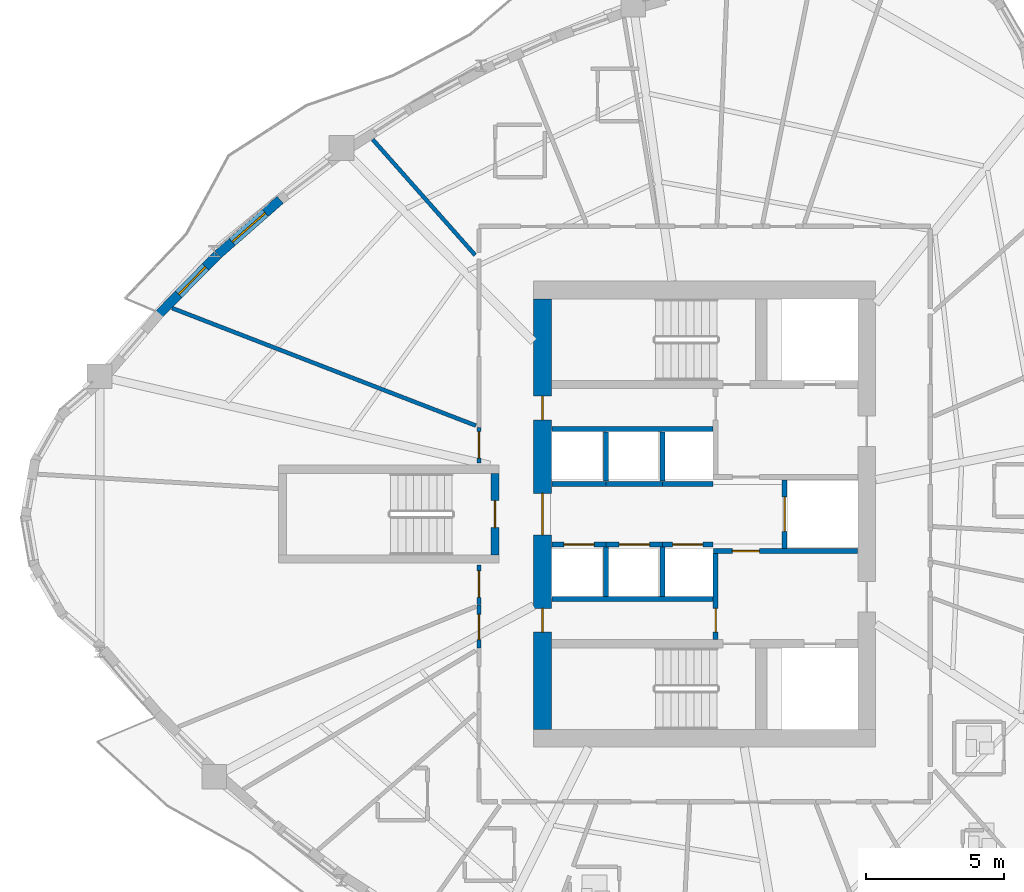
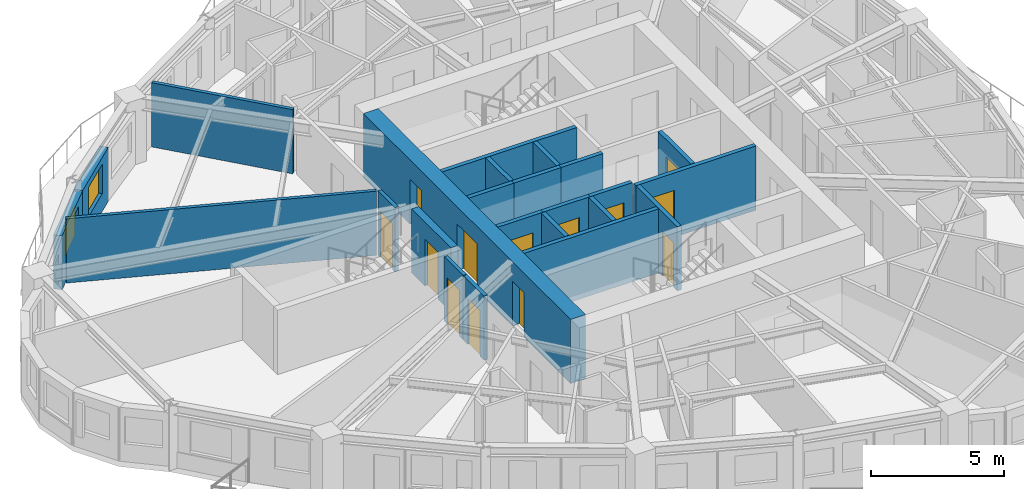
# One storey, part 5 of 13: 24 walls, 13 doors, 2 windows, 15 openings.
"""IFC4 building model written with IfcOpenShell, lengths in metres."""

from ifc_helpers import new_model, si_unit, direction, frame, frame_2d, origin, place, context, subcontext, project, spatial, rectangle, extrude, source, transform, mapped, material, layer, layer_set, type_object, element, fill, save


model = new_model("IFC4")

# Units and contexts
model_context = context("Model", 3, precision=1e-05, world=origin(), true_north=direction((0.0, 1.0)))
body_context = subcontext(model_context, "Body", "Model", "MODEL_VIEW")
ifc_project = project(units=[si_unit("LENGTHUNIT", "METRE"), si_unit("AREAUNIT", "SQUARE_METRE"), si_unit("VOLUMEUNIT", "CUBIC_METRE"), si_unit("PLANEANGLEUNIT", "RADIAN"), si_unit("MASSUNIT", "GRAM", prefix="KILO")], contexts=[model_context])

# Site, building, storey
site_placement = place(None, origin())
site = spatial("IfcSite", under=ifc_project, at=site_placement, CompositionType="ELEMENT")
building_placement = place(site_placement, origin())
building = spatial("IfcBuilding", under=site, at=building_placement, Name="Qafzar Sky-Pleat Residences", CompositionType="ELEMENT")
storey_placement = place(building_placement, frame((0.0, 0.0, 99.199951171875)))
storey = spatial("IfcBuildingStorey", under=building, at=storey_placement, Name="L29", CompositionType="ELEMENT", Elevation=99.199951171875)

# Wall, opening, door
ifc_material_1 = material(Name="Acoustic gypsum plasterboard partition", Category="gypsum")
ifc_layer_1 = layer(ifc_material_1, 0.159912109375)
ifc_layer_set_1 = layer_set([ifc_layer_1], Name="Acoustic gypsum plasterboard partition")
wall_type_1 = type_object("IfcWallType", Name="PART-COR-160", PredefinedType="PARTITIONING", material=ifc_layer_set_1)
wall_1_placement = place(storey_placement, frame((22.169921875, 21.156005859375, 0.0), z_axis=(0.0, 0.0, 1.0), x_axis=(0.0, 1.0, 0.0)))
wall_1 = element("IfcWall", 1, at=wall_1_placement, inside=storey, type_object=wall_type_1, Name="L29 Partition Wall PART-L29-PW-025", PredefinedType="PARTITIONING", context=body_context, shape_type="SweptSolid", body=[
    extrude(rectangle(XDim=1.554931640625, YDim=0.159912109375, at=frame_2d((0.77734375, 0.0))), origin(), (0.0, 0.0, 1.0), 2.949951171875),
])
opening_1_placement = place(wall_1_placement, frame((0.29345703125, 0.0, 0.0)))
opening_1 = element("IfcOpeningElement", 2, at=opening_1_placement, cuts=wall_1, Name="Opening ID-04", PredefinedType="OPENING", context=body_context, shape_type="SweptSolid", body=[
    extrude(rectangle(XDim=0.919921875, YDim=2.10009765625, at=frame_2d((0.4599609375, 1.050048828125))), frame((0.0, 0.08984375, 0.0), z_axis=(0.0, -1.0, 0.0), x_axis=(1.0, 0.0, 0.0)), (0.0, 0.0, 1.0), 0.179931640625),
])
ifc_material_2 = material(Name="Timber-faced fire door", Category="wood")
door_type_1 = type_object("IfcDoorType", Name="DR-BED-920", OperationType="NOTDEFINED", PredefinedType="DOOR", material=ifc_material_2)
shared_shape_1 = source(origin(), body_context, "Body", "SweptSolid", [
    extrude(rectangle(XDim=0.919921875, YDim=2.10009765625, at=frame_2d((0.4599609375, 1.050048828125))), frame((0.0, 0.02490234375, 0.0), z_axis=(0.0, -1.0, 0.0), x_axis=(1.0, 0.0, 0.0)), (0.0, 0.0, 1.0), 0.050048828125),
])
door_1_placement = place(opening_1_placement, origin())
door_1 = element("IfcDoor", 3, at=door_1_placement, inside=storey, type_object=door_type_1, Name="L29 Co-Living Bedroom 11 Door", OperationType="SINGLE_SWING_RIGHT", OverallHeight=2.10009765625, OverallWidth=0.919921875, PredefinedType="DOOR", context=body_context, shape_type="MappedRepresentation", body=[
    mapped(shared_shape_1, transform((0.0, 0.0, 0.0), x_axis=(1.0, 0.0, 0.0), y_axis=(0.0, 1.0, 0.0), z_axis=(0.0, 0.0, 1.0), scale=1.0)),
])
fill(opening_1, door_1)

wall_2_placement = place(storey_placement, frame((22.169921875, 22.72607421875, 0.0), z_axis=(0.0, 0.0, 1.0), x_axis=(0.0, 1.0, 0.0)))
wall_2 = element("IfcWall", 4, at=wall_2_placement, inside=storey, type_object=wall_type_1, Name="L29 Partition Wall PART-L29-PW-026", PredefinedType="PARTITIONING", context=body_context, shape_type="SweptSolid", body=[
    extrude(rectangle(XDim=1.423828125, YDim=0.159912109375, at=frame_2d((0.7119140625, 0.0))), origin(), (0.0, 0.0, 1.0), 2.949951171875),
])
opening_2_placement = place(wall_2_placement, frame((0.25390625, 0.0, 0.0)))
opening_2 = element("IfcOpeningElement", 5, at=opening_2_placement, cuts=wall_2, Name="Opening ID-06", PredefinedType="OPENING", context=body_context, shape_type="SweptSolid", body=[
    extrude(rectangle(XDim=0.9599609375, YDim=2.10009765625, at=frame_2d((0.47998046875, 1.050048828125))), frame((0.0, 0.08984375, 0.0), z_axis=(0.0, -1.0, 0.0), x_axis=(1.0, 0.0, 0.0)), (0.0, 0.0, 1.0), 0.179931640625),
])
door_type_2 = type_object("IfcDoorType", Name="DR-STD-960", OperationType="NOTDEFINED", PredefinedType="DOOR", material=ifc_material_2)
shared_shape_2 = source(origin(), body_context, "Body", "SweptSolid", [
    extrude(rectangle(XDim=0.9599609375, YDim=2.10009765625, at=frame_2d((0.47998046875, 1.050048828125))), frame((0.0, 0.02490234375, 0.0), z_axis=(0.0, -1.0, 0.0), x_axis=(1.0, 0.0, 0.0)), (0.0, 0.0, 1.0), 0.050048828125),
])
door_2_placement = place(opening_2_placement, origin())
door_2 = element("IfcDoor", 6, at=door_2_placement, inside=storey, type_object=door_type_2, Name="L29 Reading Library Door", OperationType="SINGLE_SWING_LEFT", OverallHeight=2.10009765625, OverallWidth=0.9599609375, PredefinedType="DOOR", context=body_context, shape_type="MappedRepresentation", body=[
    mapped(shared_shape_2, transform((0.0, 0.0, 0.0), x_axis=(1.0, 0.0, 0.0), y_axis=(0.0, 1.0, 0.0), z_axis=(0.0, 0.0, 1.0), scale=1.0)),
])
fill(opening_2, door_2)

wall_3_placement = place(storey_placement, frame((22.169921875, 27.85009765625, 0.0), z_axis=(0.0, 0.0, 1.0), x_axis=(0.0, 1.0, 0.0)))
wall_3 = element("IfcWall", 7, at=wall_3_placement, inside=storey, type_object=wall_type_1, Name="L29 Partition Wall PART-L29-PW-028", PredefinedType="PARTITIONING", context=body_context, shape_type="SweptSolid", body=[
    extrude(rectangle(XDim=1.282958984375, YDim=0.159912109375, at=frame_2d((0.6416015625, 0.0))), origin(), (0.0, 0.0, 1.0), 2.949951171875),
])
opening_3_placement = place(wall_3_placement, frame((0.177490234375, 0.0, 0.0)))
opening_3 = element("IfcOpeningElement", 8, at=opening_3_placement, cuts=wall_3, Name="Opening ID-06", PredefinedType="OPENING", context=body_context, shape_type="SweptSolid", body=[
    extrude(rectangle(XDim=0.9599609375, YDim=2.10009765625, at=frame_2d((0.47998046875, 1.050048828125))), frame((0.0, 0.08984375, 0.0), z_axis=(0.0, -1.0, 0.0), x_axis=(1.0, 0.0, 0.0)), (0.0, 0.0, 1.0), 0.179931640625),
])
door_3_placement = place(opening_3_placement, origin())
door_3 = element("IfcDoor", 9, at=door_3_placement, inside=storey, type_object=door_type_2, Name="L29 Common Dining Room Door", OperationType="SINGLE_SWING_LEFT", OverallHeight=2.10009765625, OverallWidth=0.9599609375, PredefinedType="DOOR", context=body_context, shape_type="MappedRepresentation", body=[
    mapped(shared_shape_2, transform((0.0, 0.0, 0.0), x_axis=(1.0, 0.0, 0.0), y_axis=(0.0, 1.0, 0.0), z_axis=(0.0, 0.0, 1.0), scale=1.0)),
])
fill(opening_3, door_3)

ifc_material_3 = material(Name="Concrete blockwork partition", Category="masonry")
ifc_layer_2 = layer(ifc_material_3, 0.179931640625)
ifc_layer_set_2 = layer_set([ifc_layer_2], Name="Concrete blockwork partition")
wall_type_2 = type_object("IfcWallType", Name="PART-SHAFT-180", PredefinedType="PARTITIONING", material=ifc_layer_set_2)
wall_4_placement = place(storey_placement, frame((30.75, 21.4599609375, 0.0), z_axis=(0.0, 0.0, 1.0), x_axis=(0.0, 1.0, 0.0)))
wall_4 = element("IfcWall", 10, at=wall_4_placement, inside=storey, type_object=wall_type_2, Name="L29 Partition Wall PART-L29-FFL1-W", PredefinedType="PARTITIONING", context=body_context, shape_type="SweptSolid", body=[
    extrude(rectangle(XDim=3.110107421875, YDim=0.179931640625, at=frame_2d((1.55517578125, 0.0))), origin(), (0.0, 0.0, 1.0), 2.949951171875),
])
opening_4_placement = place(wall_4_placement, frame((0.260009765625, 0.0, 0.0)))
opening_4 = element("IfcOpeningElement", 11, at=opening_4_placement, cuts=wall_4, Name="Opening ID-09", PredefinedType="OPENING", context=body_context, shape_type="SweptSolid", body=[
    extrude(rectangle(XDim=0.860107421875, YDim=2.050048828125, at=frame_2d((0.43017578125, 1.02490234375))), frame((0.0, 0.10009765625, 0.0), z_axis=(0.0, -1.0, 0.0), x_axis=(1.0, 0.0, 0.0)), (0.0, 0.0, 1.0), 0.199951171875),
])
door_type_3 = type_object("IfcDoorType", Name="DR-SVC-860", OperationType="NOTDEFINED", PredefinedType="DOOR", material=ifc_material_2)
shared_shape_3 = source(origin(), body_context, "Body", "SweptSolid", [
    extrude(rectangle(XDim=0.860107421875, YDim=2.050048828125, at=frame_2d((0.43017578125, 1.02490234375))), frame((0.0, 0.02490234375, 0.0), z_axis=(0.0, -1.0, 0.0), x_axis=(1.0, 0.0, 0.0)), (0.0, 0.0, 1.0), 0.050048828125),
])
door_4_placement = place(opening_4_placement, origin())
door_4 = element("IfcDoor", 12, at=door_4_placement, inside=storey, type_object=door_type_3, Name="L29 South Core Cupboard Door", OperationType="SINGLE_SWING_RIGHT", OverallHeight=2.050048828125, OverallWidth=0.860107421875, PredefinedType="DOOR", context=body_context, shape_type="MappedRepresentation", body=[
    mapped(shared_shape_3, transform((0.0, 0.0, 0.0), x_axis=(1.0, 0.0, 0.0), y_axis=(0.0, 1.0, 0.0), z_axis=(0.0, 0.0, 1.0), scale=1.0)),
])
fill(opening_4, door_4)

wall_5_placement = place(storey_placement, frame((30.669921875, 24.659912109375, 0.0), z_axis=(0.0, 0.0, 1.0), x_axis=(1.0, 0.0, 0.0)))
wall_5 = element("IfcWall", 13, at=wall_5_placement, inside=storey, type_object=wall_type_2, Name="L29 Partition Wall PART-L29-FFL1-N", PredefinedType="PARTITIONING", context=body_context, shape_type="SweptSolid", body=[
    extrude(rectangle(XDim=5.219970703125, YDim=0.179931640625, at=frame_2d((2.60986328125, 0.0))), origin(), (0.0, 0.0, 1.0), 2.949951171875),
])
opening_5_placement = place(wall_5_placement, frame((0.679931640625, 0.0, 0.0)))
opening_5 = element("IfcOpeningElement", 14, at=opening_5_placement, cuts=wall_5, Name="Opening ID-01", PredefinedType="OPENING", context=body_context, shape_type="SweptSolid", body=[
    extrude(rectangle(XDim=0.97998046875, YDim=2.14990234375, at=frame_2d((0.489990234375, 1.074951171875))), frame((0.0, 0.10009765625, 0.0), z_axis=(0.0, -1.0, 0.0), x_axis=(1.0, 0.0, 0.0)), (0.0, 0.0, 1.0), 0.199951171875),
])
door_type_4 = type_object("IfcDoorType", Name="DR-STAIR-980", OperationType="NOTDEFINED", PredefinedType="DOOR", material=ifc_material_2)
shared_shape_4 = source(origin(), body_context, "Body", "SweptSolid", [
    extrude(rectangle(XDim=0.97998046875, YDim=2.14990234375, at=frame_2d((0.489990234375, 1.074951171875))), frame((0.0, 0.02490234375, 0.0), z_axis=(0.0, -1.0, 0.0), x_axis=(1.0, 0.0, 0.0)), (0.0, 0.0, 1.0), 0.050048828125),
])
door_5_placement = place(opening_5_placement, origin())
door_5 = element("IfcDoor", 15, at=door_5_placement, inside=storey, type_object=door_type_4, Name="L29 Lift Lobby to South Firefighting Lobby Door", OperationType="SINGLE_SWING_LEFT", OverallHeight=2.14990234375, OverallWidth=0.97998046875, PredefinedType="DOOR", context=body_context, shape_type="MappedRepresentation", body=[
    mapped(shared_shape_4, transform((0.0, 0.0, 0.0), x_axis=(1.0, 0.0, 0.0), y_axis=(0.0, 1.0, 0.0), z_axis=(0.0, 0.0, 1.0), scale=1.0)),
])
fill(opening_5, door_5)

wall_6_placement = place(storey_placement, frame((33.25, 24.760009765625, 0.0), z_axis=(0.0, 0.0, 1.0), x_axis=(0.0, 1.0, 0.0)))
wall_6 = element("IfcWall", 16, at=wall_6_placement, inside=storey, type_object=wall_type_2, Name="L29 Partition Wall PART-L29-SV1-W", PredefinedType="PARTITIONING", context=body_context, shape_type="SweptSolid", body=[
    extrude(rectangle(XDim=2.47998046875, YDim=0.179931640625, at=frame_2d((1.239990234375, 0.0))), origin(), (0.0, 0.0, 1.0), 2.949951171875),
])
opening_6_placement = place(wall_6_placement, frame((0.614990234375, 0.0, 0.0)))
opening_6 = element("IfcOpeningElement", 17, at=opening_6_placement, cuts=wall_6, Name="Opening LD-03", PredefinedType="OPENING", context=body_context, shape_type="SweptSolid", body=[
    extrude(rectangle(XDim=1.25, YDim=2.14990234375, at=frame_2d((0.625, 1.074951171875))), frame((0.0, 0.10009765625, 0.0), z_axis=(0.0, -1.0, 0.0), x_axis=(1.0, 0.0, 0.0)), (0.0, 0.0, 1.0), 0.199951171875),
])
ifc_material_4 = material(Name="Stainless steel sliding landing door", Category="steel")
door_type_5 = type_object("IfcDoorType", Name="DR-LIFT-SV", OperationType="DOUBLE_DOOR_SLIDING", PredefinedType="DOOR", material=ifc_material_4)
shared_shape_5 = source(origin(), body_context, "Body", "SweptSolid", [
    extrude(rectangle(XDim=1.25, YDim=2.14990234375, at=frame_2d((0.625, 1.074951171875))), frame((0.0, 0.02490234375, 0.0), z_axis=(0.0, -1.0, 0.0), x_axis=(1.0, 0.0, 0.0)), (0.0, 0.0, 1.0), 0.050048828125),
])
door_6_placement = place(opening_6_placement, origin())
door_6 = element("IfcDoor", 18, at=door_6_placement, inside=storey, type_object=door_type_5, Name="L29 Service Lift SV1 Landing Door", OperationType="DOUBLE_DOOR_SLIDING", OverallHeight=2.14990234375, OverallWidth=1.25, PredefinedType="DOOR", context=body_context, shape_type="MappedRepresentation", body=[
    mapped(shared_shape_5, transform((0.0, 0.0, 0.0), x_axis=(1.0, 0.0, 0.0), y_axis=(0.0, 1.0, 0.0), z_axis=(0.0, 0.0, 1.0), scale=1.0)),
])
fill(opening_6, door_6)

# Wall
wall_7_placement = place(storey_placement, frame((24.81005859375, 22.919921875, 0.0), z_axis=(0.0, 0.0, 1.0), x_axis=(1.0, 0.0, 0.0)))
element("IfcWall", 19, at=wall_7_placement, inside=storey, type_object=wall_type_2, Name="L29 Partition Wall PART-L29-P13-S", PredefinedType="PARTITIONING", context=body_context, shape_type="SweptSolid", body=[
    extrude(rectangle(XDim=5.83984375, YDim=0.179931640625, at=frame_2d((2.919921875, 0.0))), origin(), (0.0, 0.0, 1.0), 2.949951171875),
])

# Wall, opening, door
wall_8_placement = place(storey_placement, frame((24.81005859375, 24.89990234375, 0.0), z_axis=(0.0, 0.0, 1.0), x_axis=(1.0, 0.0, 0.0)))
wall_8 = element("IfcWall", 20, at=wall_8_placement, inside=storey, type_object=wall_type_2, Name="L29 Partition Wall PART-L29-P1-N", PredefinedType="PARTITIONING", context=body_context, shape_type="SweptSolid", body=[
    extrude(rectangle(XDim=1.96484375, YDim=0.179931640625, at=frame_2d((0.982421875, 0.0))), origin(), (0.0, 0.0, 1.0), 2.949951171875),
])
opening_7_placement = place(wall_8_placement, frame((0.4326171875, 0.0, 0.0)))
opening_7 = element("IfcOpeningElement", 21, at=opening_7_placement, cuts=wall_8, Name="Opening LD-01", PredefinedType="OPENING", context=body_context, shape_type="SweptSolid", body=[
    extrude(rectangle(XDim=1.10009765625, YDim=2.14990234375, at=frame_2d((0.550048828125, 1.074951171875))), frame((0.0, 0.10009765625, 0.0), z_axis=(0.0, -1.0, 0.0), x_axis=(1.0, 0.0, 0.0)), (0.0, 0.0, 1.0), 0.199951171875),
])
door_type_6 = type_object("IfcDoorType", Name="DR-LIFT-P", OperationType="DOUBLE_DOOR_SLIDING", PredefinedType="DOOR", material=ifc_material_4)
shared_shape_6 = source(origin(), body_context, "Body", "SweptSolid", [
    extrude(rectangle(XDim=1.10009765625, YDim=2.14990234375, at=frame_2d((0.550048828125, 1.074951171875))), frame((0.0, 0.02490234375, 0.0), z_axis=(0.0, -1.0, 0.0), x_axis=(1.0, 0.0, 0.0)), (0.0, 0.0, 1.0), 0.050048828125),
])
door_7_placement = place(opening_7_placement, origin())
door_7 = element("IfcDoor", 22, at=door_7_placement, inside=storey, type_object=door_type_6, Name="L29 Passenger Lift P1 Landing Door", OperationType="DOUBLE_DOOR_SLIDING", OverallHeight=2.14990234375, OverallWidth=1.10009765625, PredefinedType="DOOR", context=body_context, shape_type="MappedRepresentation", body=[
    mapped(shared_shape_6, transform((0.0, 0.0, 0.0), x_axis=(1.0, 0.0, 0.0), y_axis=(0.0, 1.0, 0.0), z_axis=(0.0, 0.0, 1.0), scale=1.0)),
])
fill(opening_7, door_7)

wall_9_placement = place(storey_placement, frame((26.77490234375, 24.89990234375, 0.0), z_axis=(0.0, 0.0, 1.0), x_axis=(1.0, 0.0, 0.0)))
wall_9 = element("IfcWall", 23, at=wall_9_placement, inside=storey, type_object=wall_type_2, Name="L29 Partition Wall PART-L29-P2-N", PredefinedType="PARTITIONING", context=body_context, shape_type="SweptSolid", body=[
    extrude(rectangle(XDim=2.050048828125, YDim=0.179931640625, at=frame_2d((1.02490234375, 0.0))), origin(), (0.0, 0.0, 1.0), 2.949951171875),
])
opening_8_placement = place(wall_9_placement, frame((0.47509765625, 0.0, 0.0)))
opening_8 = element("IfcOpeningElement", 24, at=opening_8_placement, cuts=wall_9, Name="Opening LD-01", PredefinedType="OPENING", context=body_context, shape_type="SweptSolid", body=[
    extrude(rectangle(XDim=1.10009765625, YDim=2.14990234375, at=frame_2d((0.550048828125, 1.074951171875))), frame((0.0, 0.10009765625, 0.0), z_axis=(0.0, -1.0, 0.0), x_axis=(1.0, 0.0, 0.0)), (0.0, 0.0, 1.0), 0.199951171875),
])
door_8_placement = place(opening_8_placement, origin())
door_8 = element("IfcDoor", 25, at=door_8_placement, inside=storey, type_object=door_type_6, Name="L29 Passenger Lift P2 Landing Door", OperationType="DOUBLE_DOOR_SLIDING", OverallHeight=2.14990234375, OverallWidth=1.10009765625, PredefinedType="DOOR", context=body_context, shape_type="MappedRepresentation", body=[
    mapped(shared_shape_6, transform((0.0, 0.0, 0.0), x_axis=(1.0, 0.0, 0.0), y_axis=(0.0, 1.0, 0.0), z_axis=(0.0, 0.0, 1.0), scale=1.0)),
])
fill(opening_8, door_8)

# Wall
wall_10_placement = place(storey_placement, frame((26.77490234375, 23.02001953125, 0.0), z_axis=(0.0, 0.0, 1.0), x_axis=(0.0, 1.0, 0.0)))
element("IfcWall", 26, at=wall_10_placement, inside=storey, type_object=wall_type_2, Name="L29 Partition Wall PART-L29-P13-DIV-1", PredefinedType="PARTITIONING", context=body_context, shape_type="SweptSolid", body=[
    extrude(rectangle(XDim=1.780029296875, YDim=0.179931640625, at=frame_2d((0.89013671875, 0.0))), origin(), (0.0, 0.0, 1.0), 2.949951171875),
])

# Wall, opening, door
wall_11_placement = place(storey_placement, frame((28.824951171875, 24.89990234375, 0.0), z_axis=(0.0, 0.0, 1.0), x_axis=(1.0, 0.0, 0.0)))
wall_11 = element("IfcWall", 27, at=wall_11_placement, inside=storey, type_object=wall_type_2, Name="L29 Partition Wall PART-L29-P3-N", PredefinedType="PARTITIONING", context=body_context, shape_type="SweptSolid", body=[
    extrude(rectangle(XDim=1.824951171875, YDim=0.179931640625, at=frame_2d((0.91259765625, 0.0))), origin(), (0.0, 0.0, 1.0), 2.949951171875),
])
opening_9_placement = place(wall_11_placement, frame((0.362548828125, 0.0, 0.0)))
opening_9 = element("IfcOpeningElement", 28, at=opening_9_placement, cuts=wall_11, Name="Opening LD-01", PredefinedType="OPENING", context=body_context, shape_type="SweptSolid", body=[
    extrude(rectangle(XDim=1.10009765625, YDim=2.14990234375, at=frame_2d((0.550048828125, 1.074951171875))), frame((0.0, 0.10009765625, 0.0), z_axis=(0.0, -1.0, 0.0), x_axis=(1.0, 0.0, 0.0)), (0.0, 0.0, 1.0), 0.199951171875),
])
door_9_placement = place(opening_9_placement, origin())
door_9 = element("IfcDoor", 29, at=door_9_placement, inside=storey, type_object=door_type_6, Name="L29 Passenger Lift P3 Landing Door", OperationType="DOUBLE_DOOR_SLIDING", OverallHeight=2.14990234375, OverallWidth=1.10009765625, PredefinedType="DOOR", context=body_context, shape_type="MappedRepresentation", body=[
    mapped(shared_shape_6, transform((0.0, 0.0, 0.0), x_axis=(1.0, 0.0, 0.0), y_axis=(0.0, 1.0, 0.0), z_axis=(0.0, 0.0, 1.0), scale=1.0)),
])
fill(opening_9, door_9)

# Walls
wall_12_placement = place(storey_placement, frame((28.824951171875, 23.02001953125, 0.0), z_axis=(0.0, 0.0, 1.0), x_axis=(0.0, 1.0, 0.0)))
element("IfcWall", 30, at=wall_12_placement, inside=storey, type_object=wall_type_2, Name="L29 Partition Wall PART-L29-P13-DIV-2", PredefinedType="PARTITIONING", context=body_context, shape_type="SweptSolid", body=[
    extrude(rectangle(XDim=1.780029296875, YDim=0.179931640625, at=frame_2d((0.89013671875, 0.0))), origin(), (0.0, 0.0, 1.0), 2.949951171875),
])
wall_13_placement = place(storey_placement, frame((24.81005859375, 29.080078125, 0.0), z_axis=(0.0, 0.0, 1.0), x_axis=(1.0, 0.0, 0.0)))
element("IfcWall", 31, at=wall_13_placement, inside=storey, type_object=wall_type_2, Name="L29 Partition Wall PART-L29-P46-N", PredefinedType="PARTITIONING", context=body_context, shape_type="SweptSolid", body=[
    extrude(rectangle(XDim=5.83984375, YDim=0.179931640625, at=frame_2d((2.919921875, 0.0))), origin(), (0.0, 0.0, 1.0), 2.949951171875),
])
wall_14_placement = place(storey_placement, frame((24.81005859375, 27.10009765625, 0.0), z_axis=(0.0, 0.0, 1.0), x_axis=(1.0, 0.0, 0.0)))
element("IfcWall", 32, at=wall_14_placement, inside=storey, type_object=wall_type_2, Name="L29 Partition Wall PART-L29-P4-S", PredefinedType="PARTITIONING", context=body_context, shape_type="SweptSolid", body=[
    extrude(rectangle(XDim=1.96484375, YDim=0.179931640625, at=frame_2d((0.982421875, 0.0))), origin(), (0.0, 0.0, 1.0), 2.949951171875),
])
wall_15_placement = place(storey_placement, frame((26.77490234375, 27.10009765625, 0.0), z_axis=(0.0, 0.0, 1.0), x_axis=(1.0, 0.0, 0.0)))
element("IfcWall", 33, at=wall_15_placement, inside=storey, type_object=wall_type_2, Name="L29 Partition Wall PART-L29-P5-S", PredefinedType="PARTITIONING", context=body_context, shape_type="SweptSolid", body=[
    extrude(rectangle(XDim=2.050048828125, YDim=0.179931640625, at=frame_2d((1.02490234375, 0.0))), origin(), (0.0, 0.0, 1.0), 2.949951171875),
])
wall_16_placement = place(storey_placement, frame((26.77490234375, 27.199951171875, 0.0), z_axis=(0.0, 0.0, 1.0), x_axis=(0.0, 1.0, 0.0)))
element("IfcWall", 34, at=wall_16_placement, inside=storey, type_object=wall_type_2, Name="L29 Partition Wall PART-L29-P46-DIV-1", PredefinedType="PARTITIONING", context=body_context, shape_type="SweptSolid", body=[
    extrude(rectangle(XDim=1.780029296875, YDim=0.179931640625, at=frame_2d((0.89013671875, 0.0))), origin(), (0.0, 0.0, 1.0), 2.949951171875),
])
wall_17_placement = place(storey_placement, frame((28.824951171875, 27.10009765625, 0.0), z_axis=(0.0, 0.0, 1.0), x_axis=(1.0, 0.0, 0.0)))
element("IfcWall", 35, at=wall_17_placement, inside=storey, type_object=wall_type_2, Name="L29 Partition Wall PART-L29-P6-S", PredefinedType="PARTITIONING", context=body_context, shape_type="SweptSolid", body=[
    extrude(rectangle(XDim=1.824951171875, YDim=0.179931640625, at=frame_2d((0.91259765625, 0.0))), origin(), (0.0, 0.0, 1.0), 2.949951171875),
])
wall_18_placement = place(storey_placement, frame((28.824951171875, 27.199951171875, 0.0), z_axis=(0.0, 0.0, 1.0), x_axis=(0.0, 1.0, 0.0)))
element("IfcWall", 36, at=wall_18_placement, inside=storey, type_object=wall_type_2, Name="L29 Partition Wall PART-L29-P46-DIV-2", PredefinedType="PARTITIONING", context=body_context, shape_type="SweptSolid", body=[
    extrude(rectangle(XDim=1.780029296875, YDim=0.179931640625, at=frame_2d((0.89013671875, 0.0))), origin(), (0.0, 0.0, 1.0), 2.949951171875),
])
ifc_layer_3 = layer(ifc_material_1, 0.14501953125)
ifc_layer_set_3 = layer_set([ifc_layer_3], Name="Acoustic gypsum plasterboard partition")
wall_type_3 = type_object("IfcWallType", Name="PART-UNIT-145", PredefinedType="PARTITIONING", material=ifc_layer_set_3)
wall_19_placement = place(storey_placement, frame((11.044921875, 33.467529296875, 0.0), z_axis=(0.0, 0.0, 1.0), x_axis=(0.932653180854, -0.360774228906, 0.0)))
element("IfcWall", 37, at=wall_19_placement, inside=storey, type_object=wall_type_3, Name="L29 Partition Wall PART-L29-PW-031", PredefinedType="PARTITIONING", context=body_context, shape_type="SweptSolid", body=[
    extrude(rectangle(XDim=11.806640625, YDim=0.14501953125, at=frame_2d((5.9033203125, 0.0))), origin(), (0.0, 0.0, 1.0), 2.949951171875),
])
wall_20_placement = place(storey_placement, frame((18.319580078125, 39.576904296875, 0.0), z_axis=(0.0, 0.0, 1.0), x_axis=(0.663149796684, -0.748486704731, 0.0)))
element("IfcWall", 38, at=wall_20_placement, inside=storey, type_object=wall_type_3, Name="L29 Partition Wall PART-L29-PW-047", PredefinedType="PARTITIONING", context=body_context, shape_type="SweptSolid", body=[
    extrude(rectangle(XDim=5.595947265625, YDim=0.14501953125, at=frame_2d((2.7978515625, 0.0))), origin(), (0.0, 0.0, 1.0), 2.949951171875),
])

# Wall, opening, window
ifc_material_5 = material(Name="Precast concrete C40/50 with honed Riyadh limestone", Category="concrete")
ifc_layer_4 = layer(ifc_material_5, 0.340087890625)
ifc_layer_set_4 = layer_set([ifc_layer_4], Name="Precast concrete C40/50 with honed Riyadh limestone")
wall_type_4 = type_object("IfcWallType", Name="WALL-EXT-340", PredefinedType="SOLIDWALL", material=ifc_layer_set_4)
wall_21_placement = place(storey_placement, frame((14.962890625, 37.390380859375, 0.0), z_axis=(0.0, 0.0, 1.0), x_axis=(-0.751504986612, -0.659727409691, 0.0)))
wall_21 = element("IfcWall", 39, at=wall_21_placement, inside=storey, type_object=wall_type_4, Name="L29 Limestone Facade Wall 46", PredefinedType="SOLIDWALL", context=body_context, shape_type="SweptSolid", body=[
    extrude(rectangle(XDim=3.008544921875, YDim=0.340087890625, at=frame_2d((1.50439453125, 0.0))), origin(), (0.0, 0.0, 1.0), 2.47998046875),
])
opening_10_placement = place(wall_21_placement, frame((0.71435546875, 0.0, 0.820068359375)))
opening_10 = element("IfcOpeningElement", 40, at=opening_10_placement, cuts=wall_21, Name="Opening WN-09", PredefinedType="OPENING", context=body_context, shape_type="SweptSolid", body=[
    extrude(rectangle(XDim=1.60009765625, YDim=1.35009765625, at=frame_2d((0.800048828125, 0.675048828125))), frame((0.0, 0.18017578125, 0.0), z_axis=(0.0, -1.0, 0.0), x_axis=(1.0, 0.0, 0.0)), (0.0, 0.0, 1.0), 0.360107421875),
])
ifc_material_6 = material(Name="Solar-control low-E glass in bronze aluminium frame", Category="glass")
window_type_1 = type_object("IfcWindowType", Name="WIN-09", PartitioningType="DOUBLE_PANEL_VERTICAL", PredefinedType="WINDOW", material=ifc_material_6)
shared_shape_7 = source(origin(), body_context, "Body", "SweptSolid", [
    extrude(rectangle(XDim=1.60009765625, YDim=1.35009765625, at=frame_2d((0.800048828125, 0.675048828125))), frame((0.0, 0.030029296875, 0.0), z_axis=(0.0, -1.0, 0.0), x_axis=(1.0, 0.0, 0.0)), (0.0, 0.0, 1.0), 0.06005859375),
])
window_1_placement = place(opening_10_placement, origin())
window_1 = element("IfcWindow", 41, at=window_1_placement, inside=storey, type_object=window_type_1, Name="L29 Punched Facade Window 46", OverallHeight=1.35009765625, OverallWidth=1.60009765625, PartitioningType="SINGLE_PANEL", PredefinedType="WINDOW", context=body_context, shape_type="MappedRepresentation", body=[
    mapped(shared_shape_7, transform((0.0, 0.0, 0.0), x_axis=(1.0, 0.0, 0.0), y_axis=(0.0, 1.0, 0.0), z_axis=(0.0, 0.0, 1.0), scale=1.0)),
])
fill(opening_10, window_1)

wall_22_placement = place(storey_placement, frame((12.681640625, 35.386474609375, 0.0), z_axis=(0.0, 0.0, 1.0), x_axis=(-0.701899134886, -0.712276353985, 0.0)))
wall_22 = element("IfcWall", 42, at=wall_22_placement, inside=storey, type_object=wall_type_4, Name="L29 Limestone Facade Wall 47", PredefinedType="SOLIDWALL", context=body_context, shape_type="SweptSolid", body=[
    extrude(rectangle(XDim=3.058349609375, YDim=0.340087890625, at=frame_2d((1.529296875, 0.0))), origin(), (0.0, 0.0, 1.0), 2.47998046875),
])
opening_11_placement = place(wall_22_placement, frame((0.592529296875, 0.0, 0.820068359375)))
opening_11 = element("IfcOpeningElement", 43, at=opening_11_placement, cuts=wall_22, Name="Opening WN-10", PredefinedType="OPENING", context=body_context, shape_type="SweptSolid", body=[
    extrude(rectangle(XDim=1.39990234375, YDim=1.35009765625, at=frame_2d((0.699951171875, 0.675048828125))), frame((0.0, 0.18017578125, 0.0), z_axis=(0.0, -1.0, 0.0), x_axis=(1.0, 0.0, 0.0)), (0.0, 0.0, 1.0), 0.360107421875),
])
window_type_2 = type_object("IfcWindowType", Name="WIN-10", PartitioningType="SINGLE_PANEL", PredefinedType="WINDOW", material=ifc_material_6)
shared_shape_8 = source(origin(), body_context, "Body", "SweptSolid", [
    extrude(rectangle(XDim=1.39990234375, YDim=1.35009765625, at=frame_2d((0.699951171875, 0.675048828125))), frame((0.0, 0.030029296875, 0.0), z_axis=(0.0, -1.0, 0.0), x_axis=(1.0, 0.0, 0.0)), (0.0, 0.0, 1.0), 0.06005859375),
])
window_2_placement = place(opening_11_placement, origin())
window_2 = element("IfcWindow", 44, at=window_2_placement, inside=storey, type_object=window_type_2, Name="L29 Punched Facade Window 47", OverallHeight=1.35009765625, OverallWidth=1.39990234375, PartitioningType="SINGLE_PANEL", PredefinedType="WINDOW", context=body_context, shape_type="MappedRepresentation", body=[
    mapped(shared_shape_8, transform((0.0, 0.0, 0.0), x_axis=(1.0, 0.0, 0.0), y_axis=(0.0, 1.0, 0.0), z_axis=(0.0, 0.0, 1.0), scale=1.0)),
])
fill(opening_11, window_2)

# Wall, opening, door
ifc_material_7 = material(Name="Concrete C60/75", Category="concrete")
ifc_layer_5 = layer(ifc_material_7, 0.300048828125)
ifc_layer_set_5 = layer_set([ifc_layer_5], Name="Concrete C60/75")
wall_type_5 = type_object("IfcWallType", Name="WALL-SHEAR-300", PredefinedType="SHEAR", material=ifc_layer_set_5)
wall_23_placement = place(storey_placement, frame((22.75, 24.52490234375, 0.0), z_axis=(0.0, 0.0, 1.0), x_axis=(0.0, 1.0, 0.0)))
wall_23 = element("IfcWall", 45, at=wall_23_placement, inside=storey, type_object=wall_type_5, Name="L29 ST3 wall E", PredefinedType="SHEAR", context=body_context, shape_type="SweptSolid", body=[
    extrude(rectangle(XDim=2.9501953125, YDim=0.300048828125, at=frame_2d((1.47509765625, 0.0))), origin(), (0.0, 0.0, 1.0), 2.949951171875),
])
opening_12_placement = place(wall_23_placement, frame((0.985107421875, 0.0, 0.0)))
opening_12 = element("IfcOpeningElement", 46, at=opening_12_placement, cuts=wall_23, Name="Opening ID-01", PredefinedType="OPENING", context=body_context, shape_type="SweptSolid", body=[
    extrude(rectangle(XDim=0.97998046875, YDim=2.14990234375, at=frame_2d((0.489990234375, 1.074951171875))), frame((0.0, 0.16015625, 0.0), z_axis=(0.0, -1.0, 0.0), x_axis=(1.0, 0.0, 0.0)), (0.0, 0.0, 1.0), 0.320068359375),
])
door_10_placement = place(opening_12_placement, origin())
door_10 = element("IfcDoor", 47, at=door_10_placement, inside=storey, type_object=door_type_4, Name="L29 Stair ST3 Fire Door", OperationType="SINGLE_SWING_LEFT", OverallHeight=2.14990234375, OverallWidth=0.97998046875, PredefinedType="DOOR", context=body_context, shape_type="MappedRepresentation", body=[
    mapped(shared_shape_4, transform((0.0, 0.0, 0.0), x_axis=(1.0, 0.0, 0.0), y_axis=(0.0, 1.0, 0.0), z_axis=(0.0, 0.0, 1.0), scale=1.0)),
])
fill(opening_12, door_10)

# Wall, openings, doors
ifc_layer_6 = layer(ifc_material_7, 0.64990234375)
ifc_layer_set_6 = layer_set([ifc_layer_6], Name="Concrete C60/75")
wall_type_6 = type_object("IfcWallType", Name="WALL-SHEAR-650", PredefinedType="SHEAR", material=ifc_layer_set_6)
wall_24_placement = place(storey_placement, frame((24.47509765625, 33.800048828125, 0.0), z_axis=(0.0, 0.0, 1.0), x_axis=(0.0, -1.0, 0.0)))
wall_24 = element("IfcWall", 48, at=wall_24_placement, inside=storey, type_object=wall_type_6, Name="L29 CORE wall W", PredefinedType="SHEAR", context=body_context, shape_type="SweptSolid", body=[
    extrude(rectangle(XDim=15.60009765625, YDim=0.64990234375, at=frame_2d((7.800048828125, 0.0))), origin(), (0.0, 0.0, 1.0), 2.949951171875),
])
opening_13_placement = place(wall_24_placement, frame((7.050048828125, 0.0, 0.0)))
opening_13 = element("IfcOpeningElement", 49, at=opening_13_placement, cuts=wall_24, Name="Opening ID-03", PredefinedType="OPENING", context=body_context, shape_type="SweptSolid", body=[
    extrude(rectangle(XDim=1.5, YDim=2.14990234375, at=frame_2d((0.75, 1.074951171875))), frame((0.0, 0.3349609375, 0.0), z_axis=(0.0, -1.0, 0.0), x_axis=(1.0, 0.0, 0.0)), (0.0, 0.0, 1.0), 0.669921875),
])
opening_14_placement = place(wall_24_placement, frame((3.52001953125, 0.0, 0.0)))
opening_14 = element("IfcOpeningElement", 50, at=opening_14_placement, cuts=wall_24, Name="Opening ID-09", PredefinedType="OPENING", context=body_context, shape_type="SweptSolid", body=[
    extrude(rectangle(XDim=0.860107421875, YDim=2.050048828125, at=frame_2d((0.43017578125, 1.02490234375))), frame((0.0, 0.3349609375, 0.0), z_axis=(0.0, -1.0, 0.0), x_axis=(1.0, 0.0, 0.0)), (0.0, 0.0, 1.0), 0.669921875),
])
opening_15_placement = place(wall_24_placement, frame((11.219970703125, 0.0, 0.0)))
opening_15 = element("IfcOpeningElement", 51, at=opening_15_placement, cuts=wall_24, Name="Opening ID-09", PredefinedType="OPENING", context=body_context, shape_type="SweptSolid", body=[
    extrude(rectangle(XDim=0.860107421875, YDim=2.050048828125, at=frame_2d((0.43017578125, 1.02490234375))), frame((0.0, 0.3349609375, 0.0), z_axis=(0.0, -1.0, 0.0), x_axis=(1.0, 0.0, 0.0)), (0.0, 0.0, 1.0), 0.669921875),
])
door_type_7 = type_object("IfcDoorType", Name="DR-COR-1500", OperationType="DOUBLE_DOOR_SINGLE_SWING", PredefinedType="DOOR", material=ifc_material_2)
shared_shape_9 = source(origin(), body_context, "Body", "SweptSolid", [
    extrude(rectangle(XDim=1.5, YDim=2.14990234375, at=frame_2d((0.75, 1.074951171875))), frame((0.0, 0.02490234375, 0.0), z_axis=(0.0, -1.0, 0.0), x_axis=(1.0, 0.0, 0.0)), (0.0, 0.0, 1.0), 0.050048828125),
])
door_11_placement = place(opening_13_placement, origin())
door_11 = element("IfcDoor", 52, at=door_11_placement, inside=storey, type_object=door_type_7, Name="L29 Lift Lobby West Double Door", OperationType="DOUBLE_DOOR_SINGLE_SWING", OverallHeight=2.14990234375, OverallWidth=1.5, PredefinedType="DOOR", context=body_context, shape_type="MappedRepresentation", body=[
    mapped(shared_shape_9, transform((0.0, 0.0, 0.0), x_axis=(1.0, 0.0, 0.0), y_axis=(0.0, 1.0, 0.0), z_axis=(0.0, 0.0, 1.0), scale=1.0)),
])
fill(opening_13, door_11)
door_12_placement = place(opening_14_placement, origin())
door_12 = element("IfcDoor", 53, at=door_12_placement, inside=storey, type_object=door_type_3, Name="L29 Core North-West Service Door", OperationType="SINGLE_SWING_RIGHT", OverallHeight=2.050048828125, OverallWidth=0.860107421875, PredefinedType="DOOR", context=body_context, shape_type="MappedRepresentation", body=[
    mapped(shared_shape_3, transform((0.0, 0.0, 0.0), x_axis=(1.0, 0.0, 0.0), y_axis=(0.0, 1.0, 0.0), z_axis=(0.0, 0.0, 1.0), scale=1.0)),
])
fill(opening_14, door_12)
door_13_placement = place(opening_15_placement, origin())
door_13 = element("IfcDoor", 54, at=door_13_placement, inside=storey, type_object=door_type_3, Name="L29 Core South-West Service Door", OperationType="SINGLE_SWING_LEFT", OverallHeight=2.050048828125, OverallWidth=0.860107421875, PredefinedType="DOOR", context=body_context, shape_type="MappedRepresentation", body=[
    mapped(shared_shape_3, transform((0.0, 0.0, 0.0), x_axis=(1.0, 0.0, 0.0), y_axis=(0.0, 1.0, 0.0), z_axis=(0.0, 0.0, 1.0), scale=1.0)),
])
fill(opening_15, door_13)

save(model, "model.ifc")
